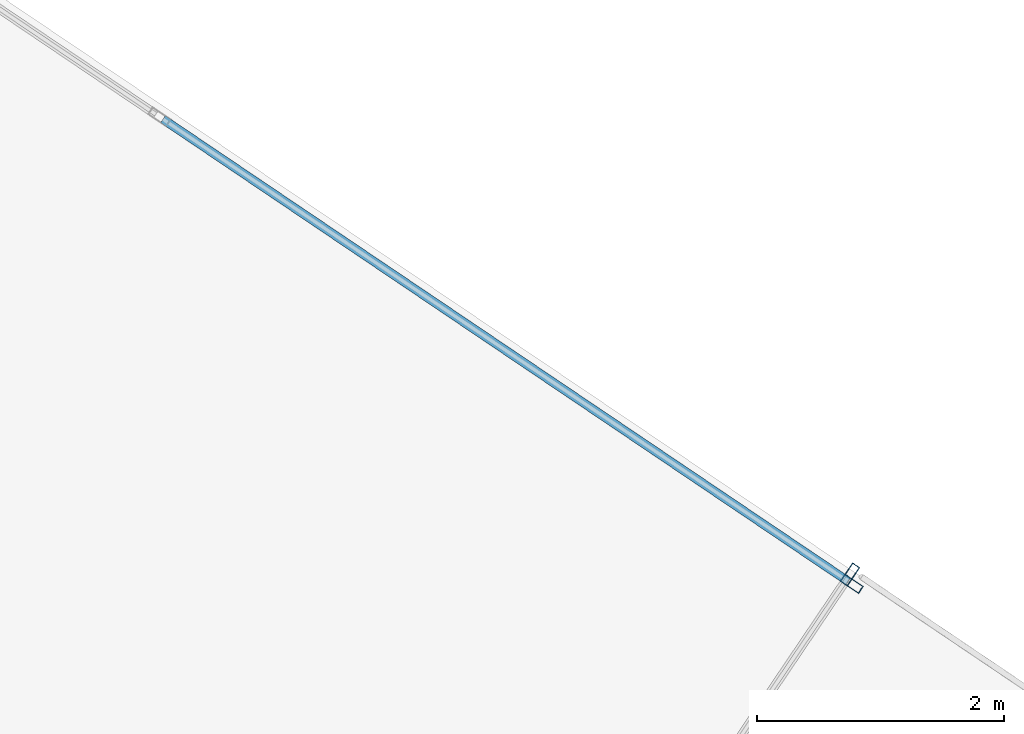
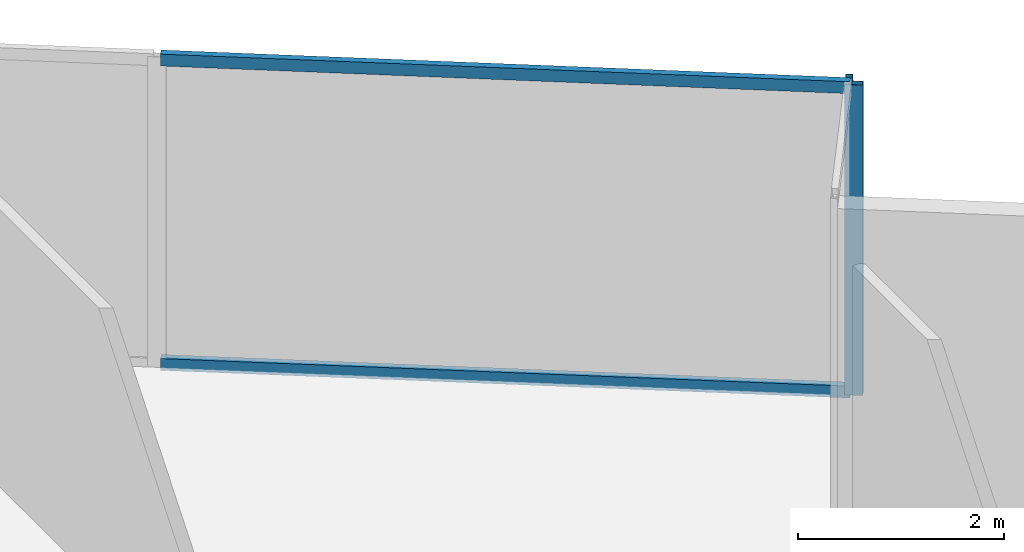
# One storey, part 21 of 27: 4 members, 2 elements without a shape of their own.
"""IFC4 building model written with IfcOpenShell, lengths in metres."""

from ifc_helpers import new_model, si_unit, direction, frame, origin, origin_2d, place, context, subcontext, project, spatial, hollow_rectangle, extrude, source, transform, mapped, material, material_profile, profile_set, type_object, type_shapes, element, aggregate, save


model = new_model("IFC4")

# Units and contexts
model_context = context("Model", 3, precision=1e-05, world=origin(), true_north=direction((0.0, 1.0)))
body_context = subcontext(model_context, "Body", "Model", "MODEL_VIEW")
ifc_project = project(units=[si_unit("LENGTHUNIT", "METRE"), si_unit("AREAUNIT", "SQUARE_METRE"), si_unit("VOLUMEUNIT", "CUBIC_METRE"), si_unit("PLANEANGLEUNIT", "RADIAN"), si_unit("MASSUNIT", "GRAM", prefix="KILO")], contexts=[model_context])

# Site, building, storey
site_placement = place(None, origin())
site = spatial("IfcSite", under=ifc_project, at=site_placement, CompositionType="ELEMENT")
building_placement = place(site_placement, origin())
building = spatial("IfcBuilding", under=site, at=building_placement, Name="Krantzveldt Concourse Tower", CompositionType="ELEMENT")
storey_placement = place(building_placement, frame((0.0, 0.0, 185.699951171875)))
storey = spatial("IfcBuildingStorey", under=building, at=storey_placement, Name="L45", CompositionType="ELEMENT", Elevation=185.699951171875)

# Curtain wall, member
ifc_material = material(Name="Anodised aluminium 6063-T6", Category="aluminium")
curtain_wall_type_1 = type_object("IfcCurtainWallType", Name="CW6", PredefinedType="USERDEFINED", material=ifc_material)
curtain_wall_1_placement = place(storey_placement, origin())
curtain_wall_1 = element("IfcCurtainWall", 1, at=curtain_wall_1_placement, inside=storey, type_object=curtain_wall_type_1, Name="CW-L45-TR13", ObjectType="UNITISED CURTAIN WALL", PredefinedType="USERDEFINED")
ifc_material_profile_1 = material_profile(ifc_material, hollow_rectangle(XDim=0.070068359375, YDim=0.179931640625, WallThickness=0.0048828125, at=origin_2d()), Name="Anodised aluminium 6063-T6", Category="aluminium")
ifc_profile_set_1 = profile_set([ifc_material_profile_1], Name="Anodised aluminium 6063-T6 - ALU-MULL 180x70x5")
member_type_1 = type_object("IfcMemberType", Name="CW-MUL-180", PredefinedType="MULLION", material=ifc_profile_set_1)
shared_shape_1 = source(origin(), body_context, "Body", "SweptSolid", [
    extrude(hollow_rectangle(XDim=0.070068359375, YDim=0.179931640625, WallThickness=0.0048828125, at=origin_2d()), origin(), (0.0, 0.0, 1.0), 3.670166015625),
])
type_shapes(member_type_1, [shared_shape_1])
member_1_placement = place(storey_placement, frame((45.001708984375, 47.002197265625, 0.0), z_axis=(0.0, 0.0, 1.0), x_axis=(-0.829039677631, 0.559189782554, 0.0)))
member_1 = element("IfcMember", 2, at=member_1_placement, type_object=member_type_1, Name="CW-TERR mullion 2", PredefinedType="MULLION", context=body_context, shape_type="MappedRepresentation", body=[
    mapped(shared_shape_1, transform((0.0, 0.0, 0.0), x_axis=(1.0, 0.0, 0.0), y_axis=(0.0, 1.0, 0.0), z_axis=(0.0, 0.0, 1.0), scale=1.0)),
])
aggregate(curtain_wall_1, [member_1])

# Curtain wall, members
curtain_wall_type_2 = type_object("IfcCurtainWallType", Name="CW3", PredefinedType="USERDEFINED", material=ifc_material)
curtain_wall_2_placement = place(storey_placement, origin())
curtain_wall_2 = element("IfcCurtainWall", 3, at=curtain_wall_2_placement, inside=storey, type_object=curtain_wall_type_2, Name="CW-L45-F14", ObjectType="UNITISED CURTAIN WALL", PredefinedType="USERDEFINED")
member_2_placement = place(storey_placement, frame((45.0166015625, 46.92578125, 0.0), z_axis=(0.0, 0.0, 1.0), x_axis=(-0.559192760874, -0.829037668737, 0.0)))
member_2 = element("IfcMember", 4, at=member_2_placement, type_object=member_type_1, Name="CW-Z34 mullion 1", PredefinedType="MULLION", context=body_context, shape_type="MappedRepresentation", body=[
    mapped(shared_shape_1, transform((0.0, 0.0, 0.0), x_axis=(1.0, 0.0, 0.0), y_axis=(0.0, 1.0, 0.0), z_axis=(0.0, 0.0, 1.0), scale=1.0)),
])
ifc_material_profile_2 = material_profile(ifc_material, hollow_rectangle(XDim=0.070068359375, YDim=0.139892578125, WallThickness=0.0048828125, at=origin_2d()), Name="Anodised aluminium 6063-T6", Category="aluminium")
ifc_profile_set_2 = profile_set([ifc_material_profile_2], Name="Anodised aluminium 6063-T6 - ALU-TRAN 140x70x5")
member_type_2 = type_object("IfcMemberType", Name="CW-TRN-150", PredefinedType="USERDEFINED", material=ifc_profile_set_2)
shared_shape_2 = source(origin(), body_context, "Body", "SweptSolid", [
    extrude(hollow_rectangle(XDim=0.070068359375, YDim=0.139892578125, WallThickness=0.0048828125, at=origin_2d()), origin(), (0.0, 0.0, 1.0), 6.695068359375),
])
type_shapes(member_type_2, [shared_shape_2])
member_3_placement = place(storey_placement, frame((44.987548828125, 46.9453125, 0.03515625), z_axis=(-0.829025343294, 0.559211033668, 0.0), x_axis=(-0.559211033668, -0.829025343294, 0.0)))
member_3 = element("IfcMember", 5, at=member_3_placement, type_object=member_type_2, Name="CW-Z34 transom 1.1", ObjectType="TRANSOM", PredefinedType="USERDEFINED", context=body_context, shape_type="MappedRepresentation", body=[
    mapped(shared_shape_2, transform((0.0, 0.0, 0.0), x_axis=(1.0, 0.0, 0.0), y_axis=(0.0, 1.0, 0.0), z_axis=(0.0, 0.0, 1.0), scale=1.0)),
])
member_4_placement = place(storey_placement, frame((44.987548828125, 46.9453125, 3.635009765625), z_axis=(-0.829025343294, 0.559211033668, 0.0), x_axis=(-0.559211033668, -0.829025343294, 0.0)))
member_4 = element("IfcMember", 6, at=member_4_placement, type_object=member_type_2, Name="CW-Z34 transom 1.2", ObjectType="TRANSOM", PredefinedType="USERDEFINED", context=body_context, shape_type="MappedRepresentation", body=[
    mapped(shared_shape_2, transform((0.0, 0.0, 0.0), x_axis=(1.0, 0.0, 0.0), y_axis=(0.0, 1.0, 0.0), z_axis=(0.0, 0.0, 1.0), scale=1.0)),
])
aggregate(curtain_wall_2, [member_2, member_3, member_4])

save(model, "model.ifc")
